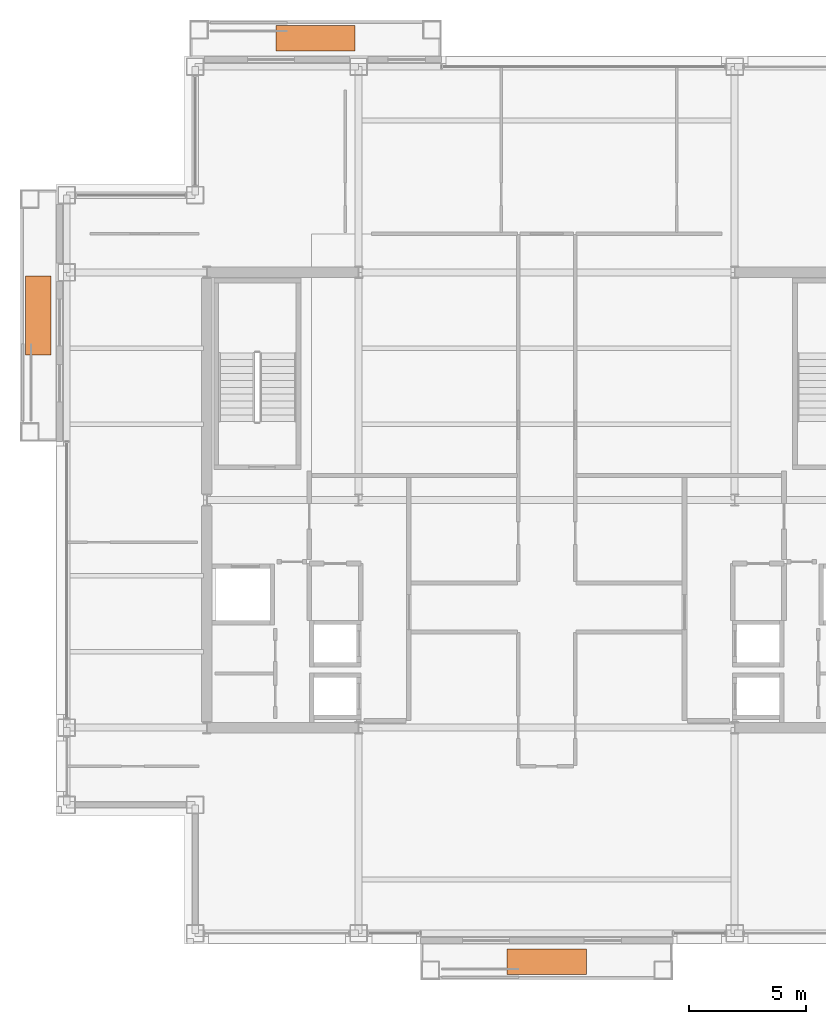
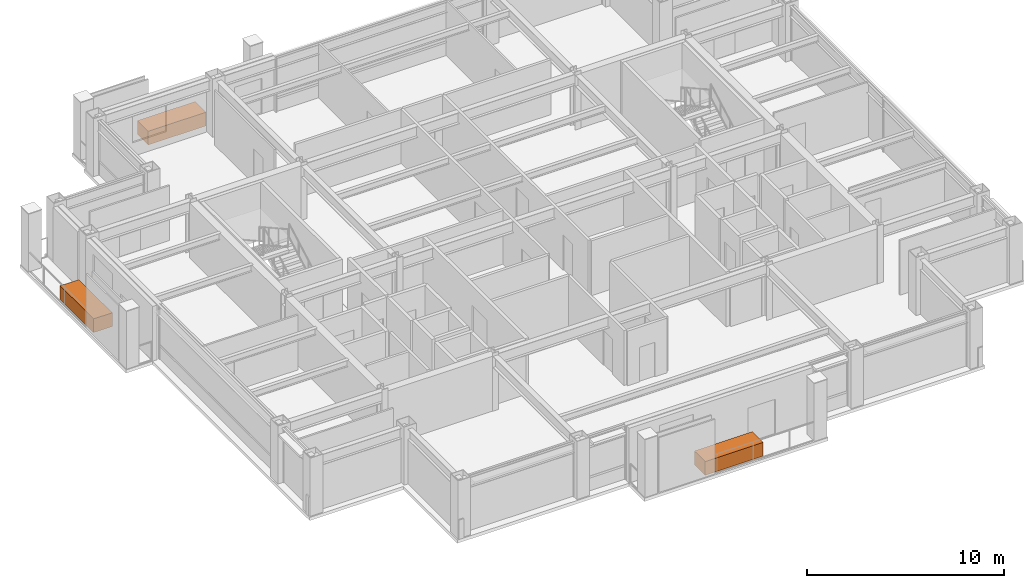
# One storey, part 28 of 28: 3 proxies.
"""IFC4 building model written with IfcOpenShell, lengths in metres."""

from ifc_helpers import new_model, si_unit, direction, frame, origin, origin_2d, place, context, subcontext, project, spatial, rectangle, extrude, material, type_object, element, save


model = new_model("IFC4")

# Units and contexts
model_context = context("Model", 3, precision=1e-05, world=origin(), true_north=direction((0.0, 1.0)))
body_context = subcontext(model_context, "Body", "Model", "MODEL_VIEW")
ifc_project = project(units=[si_unit("LENGTHUNIT", "METRE"), si_unit("AREAUNIT", "SQUARE_METRE"), si_unit("VOLUMEUNIT", "CUBIC_METRE"), si_unit("PLANEANGLEUNIT", "RADIAN"), si_unit("MASSUNIT", "GRAM", prefix="KILO")], contexts=[model_context])

# Site, building, storey
site_placement = place(None, origin())
site = spatial("IfcSite", under=ifc_project, at=site_placement, CompositionType="ELEMENT")
building_placement = place(site_placement, origin())
building = spatial("IfcBuilding", under=site, at=building_placement, Name="Brelmoor Portico Tower", CompositionType="ELEMENT")
storey_placement = place(building_placement, frame((0.0, 0.0, 165.89990234375)))
storey = spatial("IfcBuildingStorey", under=building, at=storey_placement, Name="L43", CompositionType="ELEMENT", Elevation=165.89990234375)

# Proxies
ifc_material = material(Name="Architectural Precast Concrete C40", Category="concrete")
building_element_proxy_type = type_object("IfcBuildingElementProxyType", Name="TREE PLANTER", PredefinedType="USERDEFINED", material=ifc_material)
for number, where, z_axis, x_axis, name in (
    (1, (0.0, -19.77490234375, 0.0), (0.0, 0.0, 1.0), (1.0, 0.0, 0.0), "L43 Planted Tree Planter S"),
    (2, (-9.89990234375, 19.77490234375, 0.0), (0.0, 0.0, 1.0), (1.0, 0.0, 0.0), "L43 Planted Tree Planter N"),
    (3, (-21.77490234375, 7.89990234375, 0.0), (0.0, 0.0, 1.0), (0.0, 1.0, 0.0), "L43 Planted Tree Planter W"),
):
    element("IfcBuildingElementProxy", number, at=place(storey_placement, frame(where, z_axis=z_axis, x_axis=x_axis)), inside=storey, type_object=building_element_proxy_type, Name=name, ObjectType="PLANTER", PredefinedType="USERDEFINED", context=body_context, shape_type="SweptSolid", body=[
        extrude(rectangle(XDim=3.39990234375, YDim=1.10009765625, at=origin_2d()), origin(), (0.0, 0.0, 1.0), 0.85009765625),
    ])

save(model, "model.ifc")
